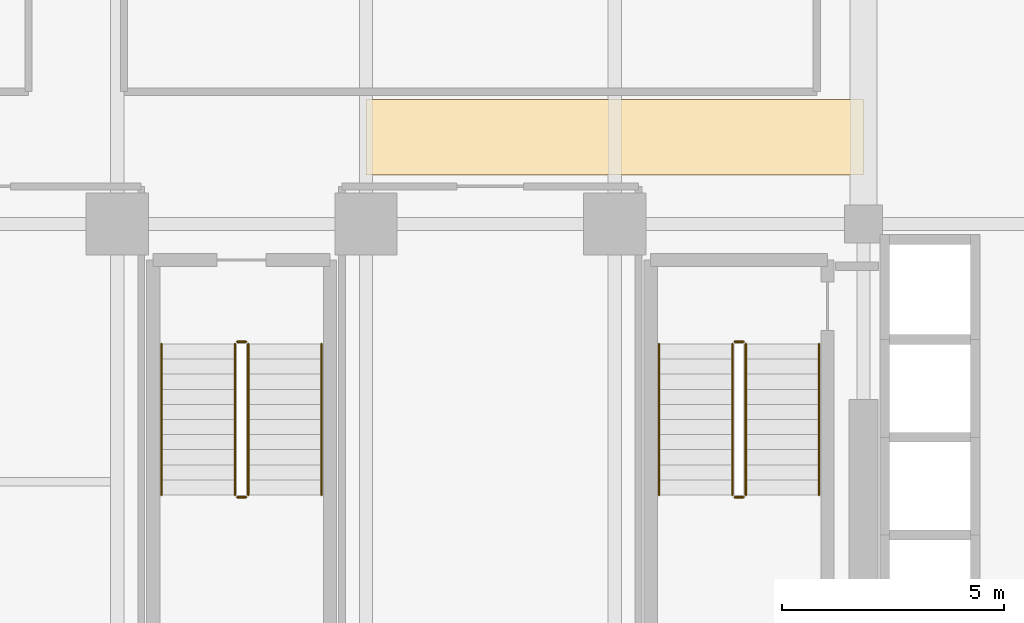
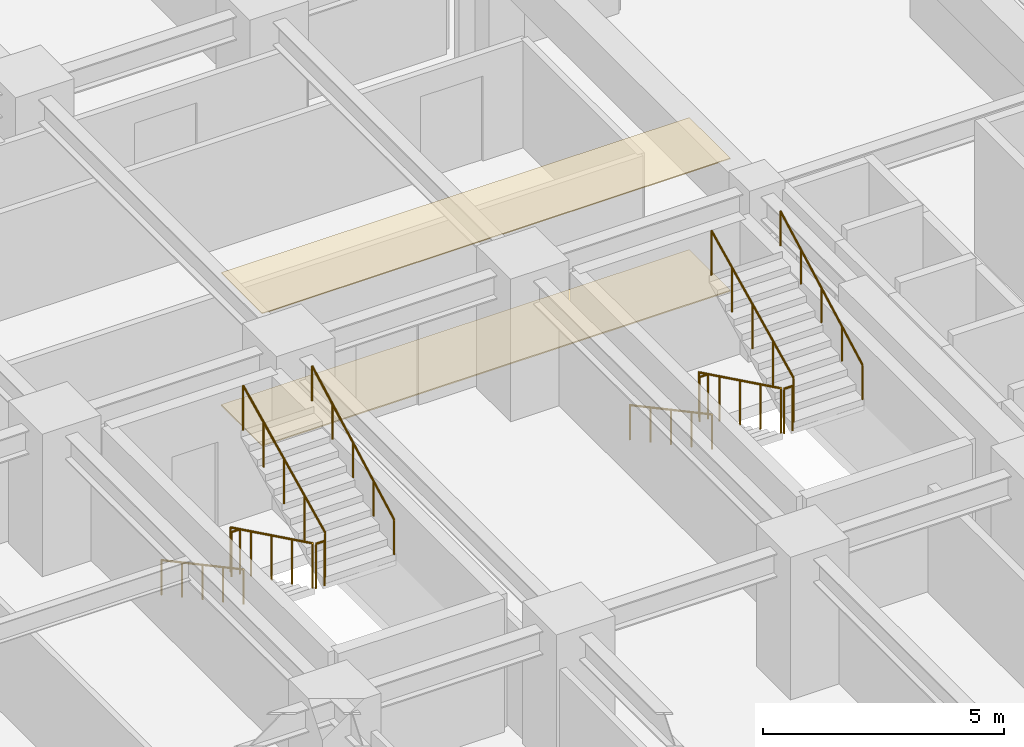
# One storey, part 33 of 36: 12 railings, 2 coverings.
"""IFC4 building model written with IfcOpenShell, lengths in metres."""

from ifc_helpers import new_model, si_unit, direction, frame, origin, origin_2d, place, context, subcontext, project, spatial, polyline, circle, outline, extrude, material, layer, layer_set, type_object, element, save


model = new_model("IFC4")

# Units and contexts
model_context = context("Model", 3, precision=1e-05, world=origin(), true_north=direction((0.0, 1.0)))
body_context = subcontext(model_context, "Body", "Model", "MODEL_VIEW")
ifc_project = project(units=[si_unit("LENGTHUNIT", "METRE"), si_unit("AREAUNIT", "SQUARE_METRE"), si_unit("VOLUMEUNIT", "CUBIC_METRE"), si_unit("PLANEANGLEUNIT", "RADIAN"), si_unit("MASSUNIT", "GRAM", prefix="KILO")], contexts=[model_context])

# Site, building, storey
site_placement = place(None, origin())
site = spatial("IfcSite", under=ifc_project, at=site_placement, CompositionType="ELEMENT")
building_placement = place(site_placement, origin())
building = spatial("IfcBuilding", under=site, at=building_placement, Name="Nahalor Promenade Grand Hotel", CompositionType="ELEMENT")
storey_placement = place(building_placement, frame((0.0, 0.0, 76.199951171875)))
storey = spatial("IfcBuildingStorey", under=building, at=storey_placement, Name="L18", CompositionType="ELEMENT", Elevation=76.199951171875)

# Coverings
ifc_material_1 = material(Name="Acoustic Mineral Gypsum", Category="gypsum")
ifc_layer_1 = layer(ifc_material_1, 0.02490234375)
ifc_layer_set_1 = layer_set([ifc_layer_1], Name="Acoustic Mineral Gypsum")
covering_type_1 = type_object("IfcCoveringType", Name="Acoustic Suspended Ceiling Tile", PredefinedType="CEILING", material=ifc_layer_set_1)
covering_1_placement = place(storey_placement, frame((0.0, 0.0, 3.344970703125)))
element("IfcCovering", 1, at=covering_1_placement, inside=storey, type_object=covering_type_1, Name="CV-CEIL-L18", PredefinedType="CEILING", context=body_context, shape_type="SweptSolid", body=[
    extrude(outline(polyline([(-2.800048828125, -4.300048828125), (8.39990234375, -4.300048828125), (8.39990234375, -2.60009765625), (-2.800048828125, -2.60009765625), (-2.800048828125, -4.300048828125)])), origin(), (0.0, 0.0, 1.0), 0.025146484375),
])
ifc_material_2 = material(Name="Jerusalem Limestone Flooring", Category="masonry")
ifc_layer_2 = layer(ifc_material_2, 0.030029296875)
ifc_layer_set_2 = layer_set([ifc_layer_2], Name="Jerusalem Limestone Flooring")
covering_type_2 = type_object("IfcCoveringType", Name="Honed Limestone Floor Finish", PredefinedType="FLOORING", material=ifc_layer_set_2)
covering_2_placement = place(storey_placement, origin())
element("IfcCovering", 2, at=covering_2_placement, inside=storey, type_object=covering_type_2, Name="CV-FLOR-L18", PredefinedType="FLOORING", context=body_context, shape_type="SweptSolid", body=[
    extrude(outline(polyline([(-2.800048828125, -4.300048828125), (8.39990234375, -4.300048828125), (8.39990234375, -2.60009765625), (-2.800048828125, -2.60009765625), (-2.800048828125, -4.300048828125)])), origin(), (0.0, 0.0, 1.0), 0.030029296875),
])

# Railings
ifc_material_3 = material(Name="Steel S355JR", Category="steel")
railing_type_1 = type_object("IfcRailingType", Name="Steel Stair Guardrail 1150 mm", PredefinedType="GUARDRAIL", material=ifc_material_3)
railing_1_placement = place(storey_placement, frame((5.449951171875, -8.10009765625, 0.166015625)))
element("IfcRailing", 3, at=railing_1_placement, inside=storey, type_object=railing_type_1, Name="L18 ST2 stair guard 1", PredefinedType="GUARDRAIL", context=body_context, shape_type="SweptSolid", body=[
    extrude(circle(Radius=0.024048, at=origin_2d()), frame((0.0, 0.0, 1.1259765625), z_axis=(0.0, -0.898721922897, 0.438518990814), x_axis=(1.0, 0.0, 0.0)), (0.0, 0.0, 1.0), 3.782958984375),
    extrude(circle(Radius=0.020996, at=origin_2d()), origin(), (0.0, 0.0, 1.0), 1.099853515625),
    extrude(circle(Radius=0.020996, at=origin_2d()), frame((0.0, -0.85009765625, 0.414794921875)), (0.0, 0.0, 1.0), 1.099853515625),
    extrude(circle(Radius=0.020996, at=origin_2d()), frame((0.0, -1.699951171875, 0.82958984375)), (0.0, 0.0, 1.0), 1.099853515625),
    extrude(circle(Radius=0.020996, at=origin_2d()), frame((0.0, -2.5498046875, 1.244140625)), (0.0, 0.0, 1.0), 1.099853515625),
    extrude(circle(Radius=0.020996, at=origin_2d()), frame((0.0, -3.39990234375, 1.658935546875)), (0.0, 0.0, 1.0), 1.099853515625),
])
railing_2_placement = place(storey_placement, frame((5.5, -11.550048828125, 1.824951171875)))
element("IfcRailing", 4, at=railing_2_placement, inside=storey, type_object=railing_type_1, Name="L18 ST2 stair guard 2", PredefinedType="GUARDRAIL", context=body_context, shape_type="SweptSolid", body=[
    extrude(circle(Radius=0.024048, at=origin_2d()), frame((0.0, 0.0, 1.1259765625), z_axis=(1.0, 0.0, 0.0), x_axis=(0.0, 1.0, 0.0)), (0.0, 0.0, 1.0), 0.199951171875),
    extrude(circle(Radius=0.020996, at=origin_2d()), origin(), (0.0, 0.0, 1.0), 1.099853515625),
    extrude(circle(Radius=0.020996, at=origin_2d()), frame((0.199951171875, 0.0, 0.0)), (0.0, 0.0, 1.0), 1.099853515625),
])
railing_3_placement = place(storey_placement, frame((5.75, -11.5, 1.990966796875)))
element("IfcRailing", 5, at=railing_3_placement, inside=storey, type_object=railing_type_1, Name="L18 ST2 stair guard 3", PredefinedType="GUARDRAIL", context=body_context, shape_type="SweptSolid", body=[
    extrude(circle(Radius=0.024048, at=origin_2d()), frame((0.0, 0.0, 1.1259765625), z_axis=(0.0, 0.898696488221, 0.438571114028), x_axis=(-1.0, 0.0, 0.0)), (0.0, 0.0, 1.0), 3.783203125),
    extrude(circle(Radius=0.020996, at=origin_2d()), origin(), (0.0, 0.0, 1.0), 1.099853515625),
    extrude(circle(Radius=0.020996, at=origin_2d()), frame((0.0, 0.85009765625, 0.414794921875)), (0.0, 0.0, 1.0), 1.099853515625),
    extrude(circle(Radius=0.020996, at=origin_2d()), frame((0.0, 1.699951171875, 0.82958984375)), (0.0, 0.0, 1.0), 1.099853515625),
    extrude(circle(Radius=0.020996, at=origin_2d()), frame((0.0, 2.5498046875, 1.244384765625)), (0.0, 0.0, 1.0), 1.099853515625),
    extrude(circle(Radius=0.020996, at=origin_2d()), frame((0.0, 3.39990234375, 1.6591796875)), (0.0, 0.0, 1.0), 1.099853515625),
])
railing_4_placement = place(storey_placement, frame((5.5, -8.050048828125, 0.0)))
element("IfcRailing", 6, at=railing_4_placement, inside=storey, type_object=railing_type_1, Name="L18 ST2 stair guard 4", PredefinedType="GUARDRAIL", context=body_context, shape_type="SweptSolid", body=[
    extrude(circle(Radius=0.024048, at=origin_2d()), frame((0.0, 0.0, 1.1259765625), z_axis=(1.0, 0.0, 0.0), x_axis=(0.0, 1.0, 0.0)), (0.0, 0.0, 1.0), 0.199951171875),
    extrude(circle(Radius=0.020996, at=origin_2d()), origin(), (0.0, 0.0, 1.0), 1.099853515625),
    extrude(circle(Radius=0.020996, at=origin_2d()), frame((0.199951171875, 0.0, 0.0)), (0.0, 0.0, 1.0), 1.099853515625),
])
railing_5_placement = place(storey_placement, frame((-5.75, -8.10009765625, 0.166015625)))
element("IfcRailing", 7, at=railing_5_placement, inside=storey, type_object=railing_type_1, Name="L18 ST3 stair guard 1", PredefinedType="GUARDRAIL", context=body_context, shape_type="SweptSolid", body=[
    extrude(circle(Radius=0.024048, at=origin_2d()), frame((0.0, 0.0, 1.1259765625), z_axis=(0.0, -0.898721922897, 0.438518990814), x_axis=(1.0, 0.0, 0.0)), (0.0, 0.0, 1.0), 3.782958984375),
    extrude(circle(Radius=0.020996, at=origin_2d()), origin(), (0.0, 0.0, 1.0), 1.099853515625),
    extrude(circle(Radius=0.020996, at=origin_2d()), frame((0.0, -0.85009765625, 0.414794921875)), (0.0, 0.0, 1.0), 1.099853515625),
    extrude(circle(Radius=0.020996, at=origin_2d()), frame((0.0, -1.699951171875, 0.82958984375)), (0.0, 0.0, 1.0), 1.099853515625),
    extrude(circle(Radius=0.020996, at=origin_2d()), frame((0.0, -2.5498046875, 1.244140625)), (0.0, 0.0, 1.0), 1.099853515625),
    extrude(circle(Radius=0.020996, at=origin_2d()), frame((0.0, -3.39990234375, 1.658935546875)), (0.0, 0.0, 1.0), 1.099853515625),
])
railing_6_placement = place(storey_placement, frame((-5.699951171875, -11.550048828125, 1.824951171875)))
element("IfcRailing", 8, at=railing_6_placement, inside=storey, type_object=railing_type_1, Name="L18 ST3 stair guard 2", PredefinedType="GUARDRAIL", context=body_context, shape_type="SweptSolid", body=[
    extrude(circle(Radius=0.024048, at=origin_2d()), frame((0.0, 0.0, 1.1259765625), z_axis=(1.0, 0.0, 0.0), x_axis=(0.0, 1.0, 0.0)), (0.0, 0.0, 1.0), 0.199951171875),
    extrude(circle(Radius=0.020996, at=origin_2d()), origin(), (0.0, 0.0, 1.0), 1.099853515625),
    extrude(circle(Radius=0.020996, at=origin_2d()), frame((0.199951171875, 0.0, 0.0)), (0.0, 0.0, 1.0), 1.099853515625),
])
railing_7_placement = place(storey_placement, frame((-5.449951171875, -11.5, 1.990966796875)))
element("IfcRailing", 9, at=railing_7_placement, inside=storey, type_object=railing_type_1, Name="L18 ST3 stair guard 3", PredefinedType="GUARDRAIL", context=body_context, shape_type="SweptSolid", body=[
    extrude(circle(Radius=0.024048, at=origin_2d()), frame((0.0, 0.0, 1.1259765625), z_axis=(0.0, 0.898696488221, 0.438571114028), x_axis=(-1.0, 0.0, 0.0)), (0.0, 0.0, 1.0), 3.783203125),
    extrude(circle(Radius=0.020996, at=origin_2d()), origin(), (0.0, 0.0, 1.0), 1.099853515625),
    extrude(circle(Radius=0.020996, at=origin_2d()), frame((0.0, 0.85009765625, 0.414794921875)), (0.0, 0.0, 1.0), 1.099853515625),
    extrude(circle(Radius=0.020996, at=origin_2d()), frame((0.0, 1.699951171875, 0.82958984375)), (0.0, 0.0, 1.0), 1.099853515625),
    extrude(circle(Radius=0.020996, at=origin_2d()), frame((0.0, 2.5498046875, 1.244384765625)), (0.0, 0.0, 1.0), 1.099853515625),
    extrude(circle(Radius=0.020996, at=origin_2d()), frame((0.0, 3.39990234375, 1.6591796875)), (0.0, 0.0, 1.0), 1.099853515625),
])
railing_8_placement = place(storey_placement, frame((-5.699951171875, -8.050048828125, 0.0)))
element("IfcRailing", 10, at=railing_8_placement, inside=storey, type_object=railing_type_1, Name="L18 ST3 stair guard 4", PredefinedType="GUARDRAIL", context=body_context, shape_type="SweptSolid", body=[
    extrude(circle(Radius=0.024048, at=origin_2d()), frame((0.0, 0.0, 1.1259765625), z_axis=(1.0, 0.0, 0.0), x_axis=(0.0, 1.0, 0.0)), (0.0, 0.0, 1.0), 0.199951171875),
    extrude(circle(Radius=0.020996, at=origin_2d()), origin(), (0.0, 0.0, 1.0), 1.099853515625),
    extrude(circle(Radius=0.020996, at=origin_2d()), frame((0.199951171875, 0.0, 0.0)), (0.0, 0.0, 1.0), 1.099853515625),
])
railing_type_2 = type_object("IfcRailingType", Name="Steel Stair Handrail 900 mm", PredefinedType="HANDRAIL", material=ifc_material_3)
railing_9_placement = place(storey_placement, frame((3.800048828125, -8.10009765625, 0.166015625)))
element("IfcRailing", 11, at=railing_9_placement, inside=storey, type_object=railing_type_2, Name="L18 ST2 stair handrail 1", PredefinedType="HANDRAIL", context=body_context, shape_type="SweptSolid", body=[
    extrude(circle(Radius=0.024048, at=origin_2d()), frame((0.0, 0.0, 0.8759765625), z_axis=(0.0, -0.881094038095, 0.47294111265), x_axis=(1.0, 0.0, 0.0)), (0.0, 0.0, 1.0), 3.858642578125),
    extrude(circle(Radius=0.020996, at=origin_2d()), origin(), (0.0, 0.0, 1.0), 0.849853515625),
    extrude(circle(Radius=0.020996, at=origin_2d()), frame((0.0, -0.85009765625, 0.456298828125)), (0.0, 0.0, 1.0), 0.849853515625),
    extrude(circle(Radius=0.020996, at=origin_2d()), frame((0.0, -1.699951171875, 0.91259765625)), (0.0, 0.0, 1.0), 0.849853515625),
    extrude(circle(Radius=0.020996, at=origin_2d()), frame((0.0, -2.5498046875, 1.36865234375)), (0.0, 0.0, 1.0), 0.849853515625),
    extrude(circle(Radius=0.020996, at=origin_2d()), frame((0.0, -3.39990234375, 1.824951171875)), (0.0, 0.0, 1.0), 0.849853515625),
])
railing_10_placement = place(storey_placement, frame((7.39990234375, -11.5, 1.990966796875)))
element("IfcRailing", 12, at=railing_10_placement, inside=storey, type_object=railing_type_2, Name="L18 ST2 stair handrail 2", PredefinedType="HANDRAIL", context=body_context, shape_type="SweptSolid", body=[
    extrude(circle(Radius=0.024048, at=origin_2d()), frame((0.0, 0.0, 0.8759765625), z_axis=(0.0, 0.881094038095, 0.47294111265), x_axis=(-1.0, 0.0, 0.0)), (0.0, 0.0, 1.0), 3.858642578125),
    extrude(circle(Radius=0.020996, at=origin_2d()), origin(), (0.0, 0.0, 1.0), 0.849853515625),
    extrude(circle(Radius=0.020996, at=origin_2d()), frame((0.0, 0.85009765625, 0.456298828125)), (0.0, 0.0, 1.0), 0.849853515625),
    extrude(circle(Radius=0.020996, at=origin_2d()), frame((0.0, 1.699951171875, 0.91259765625)), (0.0, 0.0, 1.0), 0.849853515625),
    extrude(circle(Radius=0.020996, at=origin_2d()), frame((0.0, 2.5498046875, 1.36865234375)), (0.0, 0.0, 1.0), 0.849853515625),
    extrude(circle(Radius=0.020996, at=origin_2d()), frame((0.0, 3.39990234375, 1.824951171875)), (0.0, 0.0, 1.0), 0.849853515625),
])
railing_11_placement = place(storey_placement, frame((-7.39990234375, -8.10009765625, 0.166015625)))
element("IfcRailing", 13, at=railing_11_placement, inside=storey, type_object=railing_type_2, Name="L18 ST3 stair handrail 1", PredefinedType="HANDRAIL", context=body_context, shape_type="SweptSolid", body=[
    extrude(circle(Radius=0.024048, at=origin_2d()), frame((0.0, 0.0, 0.8759765625), z_axis=(0.0, -0.881094038095, 0.47294111265), x_axis=(1.0, 0.0, 0.0)), (0.0, 0.0, 1.0), 3.858642578125),
    extrude(circle(Radius=0.020996, at=origin_2d()), origin(), (0.0, 0.0, 1.0), 0.849853515625),
    extrude(circle(Radius=0.020996, at=origin_2d()), frame((0.0, -0.85009765625, 0.456298828125)), (0.0, 0.0, 1.0), 0.849853515625),
    extrude(circle(Radius=0.020996, at=origin_2d()), frame((0.0, -1.699951171875, 0.91259765625)), (0.0, 0.0, 1.0), 0.849853515625),
    extrude(circle(Radius=0.020996, at=origin_2d()), frame((0.0, -2.5498046875, 1.36865234375)), (0.0, 0.0, 1.0), 0.849853515625),
    extrude(circle(Radius=0.020996, at=origin_2d()), frame((0.0, -3.39990234375, 1.824951171875)), (0.0, 0.0, 1.0), 0.849853515625),
])
railing_12_placement = place(storey_placement, frame((-3.800048828125, -11.5, 1.990966796875)))
element("IfcRailing", 14, at=railing_12_placement, inside=storey, type_object=railing_type_2, Name="L18 ST3 stair handrail 2", PredefinedType="HANDRAIL", context=body_context, shape_type="SweptSolid", body=[
    extrude(circle(Radius=0.024048, at=origin_2d()), frame((0.0, 0.0, 0.8759765625), z_axis=(0.0, 0.881094038095, 0.47294111265), x_axis=(-1.0, 0.0, 0.0)), (0.0, 0.0, 1.0), 3.858642578125),
    extrude(circle(Radius=0.020996, at=origin_2d()), origin(), (0.0, 0.0, 1.0), 0.849853515625),
    extrude(circle(Radius=0.020996, at=origin_2d()), frame((0.0, 0.85009765625, 0.456298828125)), (0.0, 0.0, 1.0), 0.849853515625),
    extrude(circle(Radius=0.020996, at=origin_2d()), frame((0.0, 1.699951171875, 0.91259765625)), (0.0, 0.0, 1.0), 0.849853515625),
    extrude(circle(Radius=0.020996, at=origin_2d()), frame((0.0, 2.5498046875, 1.36865234375)), (0.0, 0.0, 1.0), 0.849853515625),
    extrude(circle(Radius=0.020996, at=origin_2d()), frame((0.0, 3.39990234375, 1.824951171875)), (0.0, 0.0, 1.0), 0.849853515625),
])

save(model, "model.ifc")
